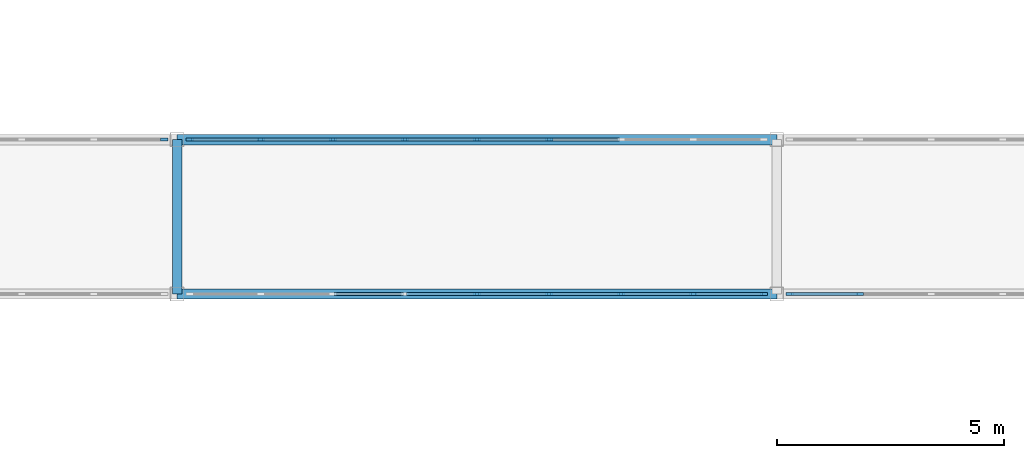
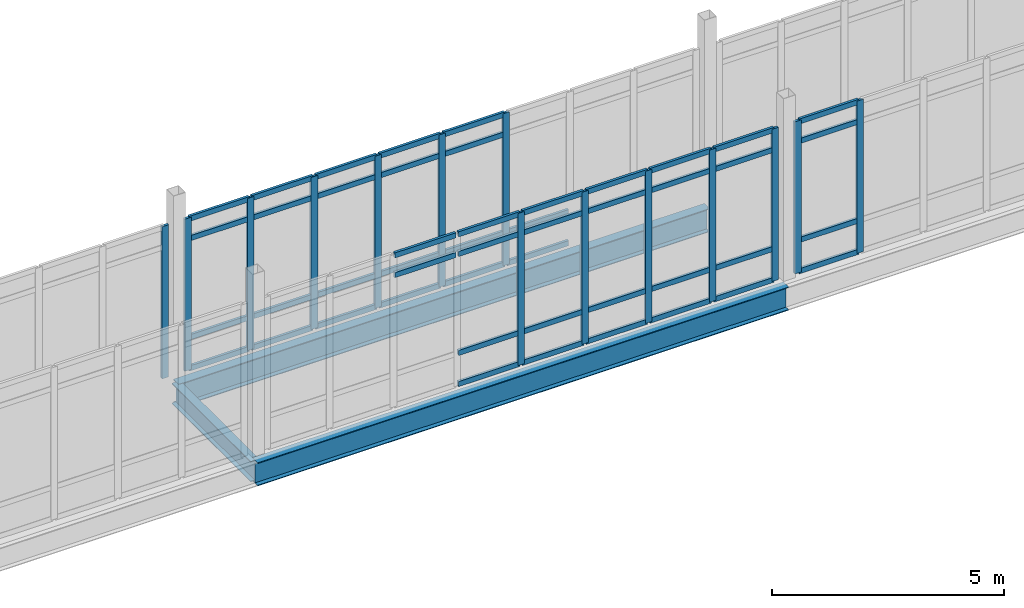
# One storey, part 16 of 101: 62 members, 3 beams, 4 elements without a shape of their own.
"""IFC4 building model written with IfcOpenShell, lengths in metres."""

import ifcopenshell
import ifcopenshell.guid

model = None  # the IFC model being written
_history = None  # IfcOwnerHistory: only IFC2X3 demands one
_inside = {}  # id of a spatial element -> (the spatial element, [elements in it])
_under = {}  # id of a project, library or spatial element -> (it, [spatial elements below it])
_declared = {}  # id of a project -> (the project, [libraries it declares])
_typed = {}  # id of a type object -> (the type object, [elements of that type])
_made_of = {}  # id of a material, layer set ... -> (it, [elements and type objects made of it])


def new_model(schema):
    """Start an empty IFC model of exactly this schema.

    Asked for "IFC4X3", IfcOpenShell would pick the latest addendum, in which some entities
    have other attributes; the version numbers below select the first issue.
    IFC2X3 requires an IfcOwnerHistory on every rooted entity: one is made here for all.
    """
    global model, _history
    if schema == "IFC4X3":
        model = ifcopenshell.file(schema_version=(4, 3, 0, 0))
    else:
        model = ifcopenshell.file(schema=schema)
    _inside.clear()
    _under.clear()
    _declared.clear()
    _typed.clear()
    _made_of.clear()
    _history = None
    if model.schema == "IFC2X3":
        org = make("IfcOrganization", Name="unknown")
        user = make(
            "IfcPersonAndOrganization",
            ThePerson=make("IfcPerson", FamilyName="unknown"),
            TheOrganization=org,
        )
        app = make(
            "IfcApplication",
            ApplicationDeveloper=org,
            Version="unknown",
            ApplicationFullName="unknown",
            ApplicationIdentifier="unknown",
        )
        _history = make(
            "IfcOwnerHistory",
            OwningUser=user,
            OwningApplication=app,
            ChangeAction="ADDED",
            CreationDate=0,
        )
    return model


def make(cls, **values):
    """One entity of the class cls with the attributes given. An attribute that is None is left unset."""
    return model.create_entity(
        cls, **{name: value for name, value in values.items() if value is not None}
    )


def rooted(cls, **values):
    """An entity with a GlobalId (a new one), such as an element, a storey or a relation."""
    return make(cls, GlobalId=ifcopenshell.guid.new(), OwnerHistory=_history, **values)


def si_unit(unit_type, name, prefix=None):
    """IfcSIUnit, for example si_unit("LENGTHUNIT", "METRE", prefix="MILLI")."""
    return make("IfcSIUnit", UnitType=unit_type, Prefix=prefix, Name=name)


def assignment(units):
    """IfcUnitAssignment: the units of a project."""
    return None if units is None else make("IfcUnitAssignment", Units=units)


def point(xyz):
    """IfcCartesianPoint."""
    return None if xyz is None else make("IfcCartesianPoint", Coordinates=xyz)


def direction(xyz):
    """IfcDirection."""
    return None if xyz is None else make("IfcDirection", DirectionRatios=xyz)


def frame(location, z_axis=None, x_axis=None):
    """IfcAxis2Placement3D, a coordinate frame: its origin and axes. An axis left out is left unset."""
    return make(
        "IfcAxis2Placement3D",
        Location=point(location),
        Axis=direction(z_axis),
        RefDirection=direction(x_axis),
    )


def frame_2d(location, x_axis=None):
    """IfcAxis2Placement2D, a coordinate frame in the plane: its origin and x axis."""
    return make(
        "IfcAxis2Placement2D", Location=point(location), RefDirection=direction(x_axis)
    )


def origin():
    """The frame at (0, 0, 0) with its axes left unset."""
    return frame((0.0, 0.0, 0.0))


def origin_2d():
    """The frame at (0, 0) in the plane with its x axis left unset."""
    return frame_2d((0.0, 0.0))


def place(relative_to, where):
    """IfcLocalPlacement: puts the frame where relative to a parent placement (None: the world)."""
    return make(
        "IfcLocalPlacement", PlacementRelTo=relative_to, RelativePlacement=where
    )


def context(
    kind, dimensions, precision=None, world=None, true_north=None, identifier=None
):
    """IfcGeometricRepresentationContext, for example the 3D "Model" context."""
    return make(
        "IfcGeometricRepresentationContext",
        ContextIdentifier=identifier,
        ContextType=kind,
        CoordinateSpaceDimension=dimensions,
        Precision=precision,
        WorldCoordinateSystem=world,
        TrueNorth=true_north,
    )


def subcontext(parent, identifier, kind, view, scale=None):
    """IfcGeometricRepresentationSubContext, for example "Body" below "Model"."""
    return make(
        "IfcGeometricRepresentationSubContext",
        ContextIdentifier=identifier,
        ContextType=kind,
        ParentContext=parent,
        TargetScale=scale,
        TargetView=view,
    )


def project(units=None, contexts=None):
    """IfcProject with its units and contexts."""
    return rooted(
        "IfcProject",
        Name="project",
        RepresentationContexts=contexts,
        UnitsInContext=assignment(units),
    )


def spatial(cls, under=None, at=None, **own):
    """A site, building, storey or space (cls), placed at a placement, below another one or the project."""
    s = rooted(cls, ObjectPlacement=at, **own)
    if under is not None:
        _under.setdefault(under.id(), (under, []))[1].append(s)
    return s


def profile(cls, at=None, kind="AREA", **sizes):
    """A parametric profile (cls). Its sizes go by their IFC names, for example OverallWidth=200.0."""
    return make(cls, ProfileType=kind, Position=at, **sizes)


def rectangle(**sizes):
    """IfcRectangleProfileDef."""
    return profile("IfcRectangleProfileDef", **sizes)


def i_section(**sizes):
    """IfcIShapeProfileDef."""
    return profile("IfcIShapeProfileDef", **sizes)


def extrude(swept, where, along, depth):
    """IfcExtrudedAreaSolid: the profile swept, set in the frame where, extruded along a direction by depth."""
    return make(
        "IfcExtrudedAreaSolid",
        SweptArea=swept,
        Position=where,
        ExtrudedDirection=direction(along),
        Depth=depth,
    )


def shape(context_of_items, identifier, shape_type, items):
    """IfcShapeRepresentation: the items that make up one representation, for example the "Body"."""
    return make(
        "IfcShapeRepresentation",
        ContextOfItems=context_of_items,
        RepresentationIdentifier=identifier,
        RepresentationType=shape_type,
        Items=items,
    )


def material(Name=None, Category=None):
    """IfcMaterial."""
    return make("IfcMaterial", Name=Name, Category=Category)


def material_profile(
    of_material, cross_section, Name=None, Category=None, Priority=None
):
    """IfcMaterialProfile: a cross section and its material."""
    return make(
        "IfcMaterialProfile",
        Name=Name,
        Material=of_material,
        Profile=cross_section,
        Priority=Priority,
        Category=Category,
    )


def profile_set(profiles, Name=None, composite=None):
    """IfcMaterialProfileSet."""
    return make(
        "IfcMaterialProfileSet",
        Name=Name,
        MaterialProfiles=profiles,
        CompositeProfile=composite,
    )


def made_of(thing, what):
    """Note that an element or type object is made of a material, layer set ...; save() writes the relation."""
    if what is not None:
        _made_of.setdefault(what.id(), (what, []))[1].append(thing)
    return thing


def type_object(cls, material=None, **own):
    """A type object (cls), such as IfcWallType, which elements share."""
    return made_of(rooted(cls, **own), material)


def element(
    cls,
    number,
    at=None,
    inside=None,
    cuts=None,
    type_object=None,
    material=None,
    context=None,
    identifier="Body",
    shape_type=None,
    held_by="IfcProductDefinitionShape",
    body=None,
    shapes=None,
    **own,
):
    """One element of the class cls, such as IfcWall. Its Tag is "e" and its number.

    at: its placement. inside: the storey or other place that contains it. cuts: it is an
    opening in that element (IfcRelVoidsElement). A single representation is given by context,
    identifier, shape_type and body (its items); several are given by shapes. held_by: the class
    of the entity that holds the representations. save() writes the other relations.
    """
    e = rooted(cls, Tag="e%d" % number, ObjectPlacement=at, **own)
    if body is not None:
        shapes = [shape(context, identifier, shape_type, body)]
    if shapes is not None:
        e.Representation = make(held_by, Representations=shapes)
    if inside is not None:
        _inside.setdefault(inside.id(), (inside, []))[1].append(e)
    if cuts is not None:
        rooted(
            "IfcRelVoidsElement", RelatingBuildingElement=cuts, RelatedOpeningElement=e
        )
    if type_object is not None:
        _typed.setdefault(type_object.id(), (type_object, []))[1].append(e)
    return made_of(e, material)


def aggregate(whole, parts):
    """IfcRelAggregates: a whole, such as a stair, and the parts it consists of."""
    return rooted("IfcRelAggregates", RelatingObject=whole, RelatedObjects=parts)


def save(model, path):
    """Write the relations noted so far, then the file.

    IfcRelAggregates (storeys below a building ...), IfcRelContainedInSpatialStructure (elements
    in a storey), IfcRelDefinesByType, IfcRelAssociatesMaterial and IfcRelDeclares: one each for
    every whole, place, type object, material and project.
    """
    for whole, parts in _under.values():
        aggregate(whole, parts)
    for where, things in _inside.values():
        rooted(
            "IfcRelContainedInSpatialStructure",
            RelatedElements=things,
            RelatingStructure=where,
        )
    for kind, things in _typed.values():
        rooted("IfcRelDefinesByType", RelatedObjects=things, RelatingType=kind)
    for what, things in _made_of.values():
        rooted("IfcRelAssociatesMaterial", RelatedObjects=things, RelatingMaterial=what)
    for by, libraries in _declared.values():
        rooted("IfcRelDeclares", RelatingContext=by, RelatedDefinitions=libraries)
    model.write(path)


model = new_model("IFC4")

# Units and contexts
model_context = context("Model", 3, precision=1e-05, world=origin(), true_north=direction((0.0, 1.0)))
body_context = subcontext(model_context, "Body", "Model", "MODEL_VIEW")
ifc_project = project(units=[si_unit("LENGTHUNIT", "METRE"), si_unit("AREAUNIT", "SQUARE_METRE"), si_unit("VOLUMEUNIT", "CUBIC_METRE"), si_unit("PLANEANGLEUNIT", "RADIAN"), si_unit("MASSUNIT", "GRAM", prefix="KILO")], contexts=[model_context])

# Site, building, storey
site_placement = place(None, origin())
site = spatial("IfcSite", under=ifc_project, at=site_placement, CompositionType="ELEMENT")
building_placement = place(site_placement, origin())
building = spatial("IfcBuilding", under=site, at=building_placement, Name="Dornvale Research Institute", CompositionType="ELEMENT")
storey_placement = place(building_placement, frame((0.0, 0.0, 10.199951171875)))
storey = spatial("IfcBuildingStorey", under=building, at=storey_placement, Name="L02", CompositionType="ELEMENT", Elevation=10.199951171875)

# Beams
ifc_material_1 = material(Name="Steel ASTM A992 Grade 50", Category="steel")
ifc_material_profile_1 = material_profile(ifc_material_1, i_section(OverallWidth=0.2099609375, OverallDepth=0.535888671875, WebThickness=0.010986328125, FlangeThickness=0.017333984375, at=origin_2d()), Name="W21X68")
ifc_profile_set_1 = profile_set([ifc_material_profile_1], Name="Steel ASTM A992 Grade 50")
beam_type_1 = type_object("IfcBeamType", Name="Beam_Steel_W21X68_Ext", PredefinedType="BEAM", material=ifc_profile_set_1)
beam_placement = place(storey_placement, frame((72.60009765625, 18.699951171875, -0.488037109375), z_axis=(0.0, 1.0, 0.0), x_axis=(-1.0, 0.0, 0.0)))
element("IfcBeam", 1, at=beam_placement, inside=storey, type_object=beam_type_1, Name="L02 BR-6 portal cap beam #2026", PredefinedType="BEAM", context=body_context, shape_type="SweptSolid", body=[
    extrude(i_section(OverallWidth=0.2099609375, OverallDepth=0.535888671875, WebThickness=0.010986328125, FlangeThickness=0.017333984375, at=origin_2d()), origin(), (0.0, 0.0, 1.0), 3.400146484375),
])
ifc_material_2 = material(Name="Steel ASTM A992 Grade 50", Category="steel")
ifc_material_profile_2 = material_profile(ifc_material_2, i_section(OverallWidth=0.22900390625, OverallDepth=0.612060546875, WebThickness=0.011962890625, FlangeThickness=0.01953125, at=origin_2d()), Name="W24X84")
ifc_profile_set_2 = profile_set([ifc_material_profile_2], Name="Steel ASTM A992 Grade 50")
beam_type_2 = type_object("IfcBeamType", Name="Beam_Steel_W24X84_Bridge", PredefinedType="BEAM", material=ifc_profile_set_2)
for number, where, z_axis, x_axis, name in (
    (2, (72.60009765625, 18.699951171875, -0.52587890625), (1.0, 0.0, 0.0), (0.0, 1.0, 0.0), "L02 BR-6 south girder #2026"),
    (3, (72.60009765625, 22.10009765625, -0.52587890625), (1.0, 0.0, 0.0), (0.0, 1.0, 0.0), "L02 BR-6 north girder #2026"),
):
    element("IfcBeam", number, at=place(storey_placement, frame(where, z_axis=z_axis, x_axis=x_axis)), inside=storey, type_object=beam_type_2, Name=name, PredefinedType="BEAM", context=body_context, shape_type="SweptSolid", body=[
        extrude(i_section(OverallWidth=0.22900390625, OverallDepth=0.612060546875, WebThickness=0.011962890625, FlangeThickness=0.01953125, at=origin_2d()), origin(), (0.0, 0.0, 1.0), 13.199951171875),
    ])

# Curtain wall, member
ifc_material_3 = material(Name="Low-E Argon Double Insulating Glazing Unit", Category="glass")
curtain_wall_type_1 = type_object("IfcCurtainWallType", Name="UnitisedCurtainWall_V2_12700x4000", PredefinedType="USERDEFINED", material=ifc_material_3)
curtain_wall_1_placement = place(storey_placement, origin())
curtain_wall_1 = element("IfcCurtainWall", 4, at=curtain_wall_1_placement, inside=storey, type_object=curtain_wall_type_1, Name="L02 V2 unitised curtain wall CW-42 #225", ObjectType="UNITISED CURTAIN WALL", PredefinedType="USERDEFINED")
ifc_material_4 = material(Name="Anodized Aluminum AA 6063-T6 Thermally Broken Frame", Category="aluminium")
ifc_material_profile_3 = material_profile(ifc_material_4, rectangle(XDim=0.06494140625, YDim=0.1650390625, at=origin_2d()), Name="ALU MULLION 65x165")
ifc_profile_set_3 = profile_set([ifc_material_profile_3], Name="Anodized Aluminum AA 6063-T6 Thermally Broken Frame")
member_type_1 = type_object("IfcMemberType", Name="Mullion_Atrium_65x165", PredefinedType="MULLION", material=ifc_profile_set_3)
member_1_placement = place(storey_placement, frame((72.3173828125, 22.10009765625, 0.0), z_axis=(0.0, 0.0, 1.0), x_axis=(0.0, 1.0, 0.0)))
member_1 = element("IfcMember", 5, at=member_1_placement, type_object=member_type_1, Name="CW-42 mullion 9", PredefinedType="MULLION", context=body_context, shape_type="SweptSolid", body=[
    extrude(rectangle(XDim=0.06494140625, YDim=0.1650390625, at=origin_2d()), origin(), (0.0, 0.0, 1.0), 4.0),
])
aggregate(curtain_wall_1, [member_1])

# Curtain wall, members
curtain_wall_2_placement = place(storey_placement, origin())
curtain_wall_2 = element("IfcCurtainWall", 6, at=curtain_wall_2_placement, inside=storey, type_object=curtain_wall_type_1, Name="L02 V2 unitised curtain wall CW-42 #227", ObjectType="UNITISED CURTAIN WALL", PredefinedType="USERDEFINED")
member_2_placement = place(storey_placement, frame((72.882568359375, 22.10009765625, 0.0), z_axis=(0.0, 0.0, 1.0), x_axis=(0.0, 1.0, 0.0)))
member_2 = element("IfcMember", 7, at=member_2_placement, type_object=member_type_1, Name="CW-42 mullion 1", PredefinedType="MULLION", context=body_context, shape_type="SweptSolid", body=[
    extrude(rectangle(XDim=0.06494140625, YDim=0.1650390625, at=origin_2d()), origin(), (0.0, 0.0, 1.0), 4.0),
])
member_3_placement = place(storey_placement, frame((74.4375, 22.10009765625, 0.0), z_axis=(0.0, 0.0, 1.0), x_axis=(0.0, 1.0, 0.0)))
member_3 = element("IfcMember", 8, at=member_3_placement, type_object=member_type_1, Name="CW-42 mullion 2", PredefinedType="MULLION", context=body_context, shape_type="SweptSolid", body=[
    extrude(rectangle(XDim=0.06494140625, YDim=0.1650390625, at=origin_2d()), origin(), (0.0, 0.0, 1.0), 4.0),
])
member_4_placement = place(storey_placement, frame((76.02490234375, 22.10009765625, 0.0), z_axis=(0.0, 0.0, 1.0), x_axis=(0.0, 1.0, 0.0)))
member_4 = element("IfcMember", 9, at=member_4_placement, type_object=member_type_1, Name="CW-42 mullion 3", PredefinedType="MULLION", context=body_context, shape_type="SweptSolid", body=[
    extrude(rectangle(XDim=0.06494140625, YDim=0.1650390625, at=origin_2d()), origin(), (0.0, 0.0, 1.0), 4.0),
])
member_5_placement = place(storey_placement, frame((77.612548828125, 22.10009765625, 0.0), z_axis=(0.0, 0.0, 1.0), x_axis=(0.0, 1.0, 0.0)))
member_5 = element("IfcMember", 10, at=member_5_placement, type_object=member_type_1, Name="CW-42 mullion 4", PredefinedType="MULLION", context=body_context, shape_type="SweptSolid", body=[
    extrude(rectangle(XDim=0.06494140625, YDim=0.1650390625, at=origin_2d()), origin(), (0.0, 0.0, 1.0), 4.0),
])
member_6_placement = place(storey_placement, frame((79.199951171875, 22.10009765625, 0.0), z_axis=(0.0, 0.0, 1.0), x_axis=(0.0, 1.0, 0.0)))
member_6 = element("IfcMember", 11, at=member_6_placement, type_object=member_type_1, Name="CW-42 mullion 5", PredefinedType="MULLION", context=body_context, shape_type="SweptSolid", body=[
    extrude(rectangle(XDim=0.06494140625, YDim=0.1650390625, at=origin_2d()), origin(), (0.0, 0.0, 1.0), 4.0),
])
member_7_placement = place(storey_placement, frame((80.78759765625, 22.10009765625, 0.0), z_axis=(0.0, 0.0, 1.0), x_axis=(0.0, 1.0, 0.0)))
member_7 = element("IfcMember", 12, at=member_7_placement, type_object=member_type_1, Name="CW-42 mullion 6", PredefinedType="MULLION", context=body_context, shape_type="SweptSolid", body=[
    extrude(rectangle(XDim=0.06494140625, YDim=0.1650390625, at=origin_2d()), origin(), (0.0, 0.0, 1.0), 4.0),
])

curtain_wall_3_placement = place(storey_placement, origin())
curtain_wall_3 = element("IfcCurtainWall", 13, at=curtain_wall_3_placement, inside=storey, type_object=curtain_wall_type_1, Name="L02 V2 unitised curtain wall CW-42 #228", ObjectType="UNITISED CURTAIN WALL", PredefinedType="USERDEFINED")
member_8_placement = place(storey_placement, frame((85.517578125, 18.699951171875, 0.0), z_axis=(0.0, 0.0, 1.0), x_axis=(0.0, -1.0, 0.0)))
member_8 = element("IfcMember", 14, at=member_8_placement, type_object=member_type_1, Name="CW-42 mullion 1", PredefinedType="MULLION", context=body_context, shape_type="SweptSolid", body=[
    extrude(rectangle(XDim=0.06494140625, YDim=0.1650390625, at=origin_2d()), origin(), (0.0, 0.0, 1.0), 4.0),
])
member_9_placement = place(storey_placement, frame((83.96240234375, 18.699951171875, 0.0), z_axis=(0.0, 0.0, 1.0), x_axis=(0.0, -1.0, 0.0)))
member_9 = element("IfcMember", 15, at=member_9_placement, type_object=member_type_1, Name="CW-42 mullion 2", PredefinedType="MULLION", context=body_context, shape_type="SweptSolid", body=[
    extrude(rectangle(XDim=0.06494140625, YDim=0.1650390625, at=origin_2d()), origin(), (0.0, 0.0, 1.0), 4.0),
])
member_10_placement = place(storey_placement, frame((82.375, 18.699951171875, 0.0), z_axis=(0.0, 0.0, 1.0), x_axis=(0.0, -1.0, 0.0)))
member_10 = element("IfcMember", 16, at=member_10_placement, type_object=member_type_1, Name="CW-42 mullion 3", PredefinedType="MULLION", context=body_context, shape_type="SweptSolid", body=[
    extrude(rectangle(XDim=0.06494140625, YDim=0.1650390625, at=origin_2d()), origin(), (0.0, 0.0, 1.0), 4.0),
])
member_11_placement = place(storey_placement, frame((80.78759765625, 18.699951171875, 0.0), z_axis=(0.0, 0.0, 1.0), x_axis=(0.0, -1.0, 0.0)))
member_11 = element("IfcMember", 17, at=member_11_placement, type_object=member_type_1, Name="CW-42 mullion 4", PredefinedType="MULLION", context=body_context, shape_type="SweptSolid", body=[
    extrude(rectangle(XDim=0.06494140625, YDim=0.1650390625, at=origin_2d()), origin(), (0.0, 0.0, 1.0), 4.0),
])
member_12_placement = place(storey_placement, frame((79.199951171875, 18.699951171875, 0.0), z_axis=(0.0, 0.0, 1.0), x_axis=(0.0, -1.0, 0.0)))
member_12 = element("IfcMember", 18, at=member_12_placement, type_object=member_type_1, Name="CW-42 mullion 5", PredefinedType="MULLION", context=body_context, shape_type="SweptSolid", body=[
    extrude(rectangle(XDim=0.06494140625, YDim=0.1650390625, at=origin_2d()), origin(), (0.0, 0.0, 1.0), 4.0),
])

ifc_material_5 = material(Name="Low-E Argon Double Insulating Glazing Unit", Category="glass")
curtain_wall_type_2 = type_object("IfcCurtainWallType", Name="UnitisedCurtainWall_V2_12600x4000", PredefinedType="USERDEFINED", material=ifc_material_5)
curtain_wall_4_placement = place(storey_placement, origin())
curtain_wall_4 = element("IfcCurtainWall", 19, at=curtain_wall_4_placement, inside=storey, type_object=curtain_wall_type_2, Name="L02 V2 unitised curtain wall CW-41 #230", ObjectType="UNITISED CURTAIN WALL", PredefinedType="USERDEFINED")
member_13_placement = place(storey_placement, frame((87.625, 18.699951171875, 0.0), z_axis=(0.0, 0.0, 1.0), x_axis=(0.0, -1.0, 0.0)))
member_13 = element("IfcMember", 20, at=member_13_placement, type_object=member_type_1, Name="CW-41 mullion 8", PredefinedType="MULLION", context=body_context, shape_type="SweptSolid", body=[
    extrude(rectangle(XDim=0.06494140625, YDim=0.1650390625, at=origin_2d()), origin(), (0.0, 0.0, 1.0), 4.0),
])
member_14_placement = place(storey_placement, frame((86.08251953125, 18.699951171875, 0.0), z_axis=(0.0, 0.0, 1.0), x_axis=(0.0, -1.0, 0.0)))
member_14 = element("IfcMember", 21, at=member_14_placement, type_object=member_type_1, Name="CW-41 mullion 9", PredefinedType="MULLION", context=body_context, shape_type="SweptSolid", body=[
    extrude(rectangle(XDim=0.06494140625, YDim=0.1650390625, at=origin_2d()), origin(), (0.0, 0.0, 1.0), 4.0),
])

# Member
ifc_material_6 = material(Name="Anodized Aluminum AA 6063-T6 Thermally Broken Frame", Category="aluminium")
ifc_material_profile_4 = material_profile(ifc_material_6, rectangle(XDim=0.06494140625, YDim=0.135009765625, at=origin_2d()), Name="ALU TRANSOM 65x135")
ifc_profile_set_4 = profile_set([ifc_material_profile_4], Name="Anodized Aluminum AA 6063-T6 Thermally Broken Frame")
member_type_2 = type_object("IfcMemberType", Name="Transom_CW_65x135", PredefinedType="USERDEFINED", material=ifc_profile_set_4)
member_15_placement = place(storey_placement, frame((72.9150390625, 22.10009765625, 0.032470703125), z_axis=(1.0, 0.0, 0.0), x_axis=(0.0, 1.0, 0.0)))
member_15 = element("IfcMember", 22, at=member_15_placement, type_object=member_type_2, Name="CW-42 transom 1.1", ObjectType="TRANSOM", PredefinedType="USERDEFINED", context=body_context, shape_type="SweptSolid", body=[
    extrude(rectangle(XDim=0.06494140625, YDim=0.135009765625, at=origin_2d()), origin(), (0.0, 0.0, 1.0), 1.489990234375),
])

member_16_placement = place(storey_placement, frame((72.9150390625, 22.10009765625, 0.85009765625), z_axis=(1.0, 0.0, 0.0), x_axis=(0.0, 1.0, 0.0)))
member_16 = element("IfcMember", 23, at=member_16_placement, type_object=member_type_2, Name="CW-42 transom 1.2", ObjectType="TRANSOM", PredefinedType="USERDEFINED", context=body_context, shape_type="SweptSolid", body=[
    extrude(rectangle(XDim=0.06494140625, YDim=0.135009765625, at=origin_2d()), origin(), (0.0, 0.0, 1.0), 1.489990234375),
])

member_17_placement = place(storey_placement, frame((72.9150390625, 22.10009765625, 3.449951171875), z_axis=(1.0, 0.0, 0.0), x_axis=(0.0, 1.0, 0.0)))
member_17 = element("IfcMember", 24, at=member_17_placement, type_object=member_type_2, Name="CW-42 transom 1.3", ObjectType="TRANSOM", PredefinedType="USERDEFINED", context=body_context, shape_type="SweptSolid", body=[
    extrude(rectangle(XDim=0.06494140625, YDim=0.135009765625, at=origin_2d()), origin(), (0.0, 0.0, 1.0), 1.489990234375),
])

member_18_placement = place(storey_placement, frame((72.9150390625, 22.10009765625, 3.967529296875), z_axis=(1.0, 0.0, 0.0), x_axis=(0.0, 1.0, 0.0)))
member_18 = element("IfcMember", 25, at=member_18_placement, type_object=member_type_2, Name="CW-42 transom 1.4", ObjectType="TRANSOM", PredefinedType="USERDEFINED", context=body_context, shape_type="SweptSolid", body=[
    extrude(rectangle(XDim=0.06494140625, YDim=0.135009765625, at=origin_2d()), origin(), (0.0, 0.0, 1.0), 1.489990234375),
])

member_19_placement = place(storey_placement, frame((74.469970703125, 22.10009765625, 0.032470703125), z_axis=(1.0, 0.0, 0.0), x_axis=(0.0, 1.0, 0.0)))
member_19 = element("IfcMember", 26, at=member_19_placement, type_object=member_type_2, Name="CW-42 transom 2.1", ObjectType="TRANSOM", PredefinedType="USERDEFINED", context=body_context, shape_type="SweptSolid", body=[
    extrude(rectangle(XDim=0.06494140625, YDim=0.135009765625, at=origin_2d()), origin(), (0.0, 0.0, 1.0), 1.5224609375),
])

member_20_placement = place(storey_placement, frame((74.469970703125, 22.10009765625, 0.85009765625), z_axis=(1.0, 0.0, 0.0), x_axis=(0.0, 1.0, 0.0)))
member_20 = element("IfcMember", 27, at=member_20_placement, type_object=member_type_2, Name="CW-42 transom 2.2", ObjectType="TRANSOM", PredefinedType="USERDEFINED", context=body_context, shape_type="SweptSolid", body=[
    extrude(rectangle(XDim=0.06494140625, YDim=0.135009765625, at=origin_2d()), origin(), (0.0, 0.0, 1.0), 1.5224609375),
])

member_21_placement = place(storey_placement, frame((74.469970703125, 22.10009765625, 3.449951171875), z_axis=(1.0, 0.0, 0.0), x_axis=(0.0, 1.0, 0.0)))
member_21 = element("IfcMember", 28, at=member_21_placement, type_object=member_type_2, Name="CW-42 transom 2.3", ObjectType="TRANSOM", PredefinedType="USERDEFINED", context=body_context, shape_type="SweptSolid", body=[
    extrude(rectangle(XDim=0.06494140625, YDim=0.135009765625, at=origin_2d()), origin(), (0.0, 0.0, 1.0), 1.5224609375),
])

member_22_placement = place(storey_placement, frame((74.469970703125, 22.10009765625, 3.967529296875), z_axis=(1.0, 0.0, 0.0), x_axis=(0.0, 1.0, 0.0)))
member_22 = element("IfcMember", 29, at=member_22_placement, type_object=member_type_2, Name="CW-42 transom 2.4", ObjectType="TRANSOM", PredefinedType="USERDEFINED", context=body_context, shape_type="SweptSolid", body=[
    extrude(rectangle(XDim=0.06494140625, YDim=0.135009765625, at=origin_2d()), origin(), (0.0, 0.0, 1.0), 1.5224609375),
])

member_23_placement = place(storey_placement, frame((76.0576171875, 22.10009765625, 0.032470703125), z_axis=(1.0, 0.0, 0.0), x_axis=(0.0, 1.0, 0.0)))
member_23 = element("IfcMember", 30, at=member_23_placement, type_object=member_type_2, Name="CW-42 transom 3.1", ObjectType="TRANSOM", PredefinedType="USERDEFINED", context=body_context, shape_type="SweptSolid", body=[
    extrude(rectangle(XDim=0.06494140625, YDim=0.135009765625, at=origin_2d()), origin(), (0.0, 0.0, 1.0), 1.5224609375),
])

member_24_placement = place(storey_placement, frame((76.0576171875, 22.10009765625, 0.85009765625), z_axis=(1.0, 0.0, 0.0), x_axis=(0.0, 1.0, 0.0)))
member_24 = element("IfcMember", 31, at=member_24_placement, type_object=member_type_2, Name="CW-42 transom 3.2", ObjectType="TRANSOM", PredefinedType="USERDEFINED", context=body_context, shape_type="SweptSolid", body=[
    extrude(rectangle(XDim=0.06494140625, YDim=0.135009765625, at=origin_2d()), origin(), (0.0, 0.0, 1.0), 1.5224609375),
])

member_25_placement = place(storey_placement, frame((76.0576171875, 22.10009765625, 3.449951171875), z_axis=(1.0, 0.0, 0.0), x_axis=(0.0, 1.0, 0.0)))
member_25 = element("IfcMember", 32, at=member_25_placement, type_object=member_type_2, Name="CW-42 transom 3.3", ObjectType="TRANSOM", PredefinedType="USERDEFINED", context=body_context, shape_type="SweptSolid", body=[
    extrude(rectangle(XDim=0.06494140625, YDim=0.135009765625, at=origin_2d()), origin(), (0.0, 0.0, 1.0), 1.5224609375),
])

member_26_placement = place(storey_placement, frame((76.0576171875, 22.10009765625, 3.967529296875), z_axis=(1.0, 0.0, 0.0), x_axis=(0.0, 1.0, 0.0)))
member_26 = element("IfcMember", 33, at=member_26_placement, type_object=member_type_2, Name="CW-42 transom 3.4", ObjectType="TRANSOM", PredefinedType="USERDEFINED", context=body_context, shape_type="SweptSolid", body=[
    extrude(rectangle(XDim=0.06494140625, YDim=0.135009765625, at=origin_2d()), origin(), (0.0, 0.0, 1.0), 1.5224609375),
])

member_27_placement = place(storey_placement, frame((77.64501953125, 22.10009765625, 0.032470703125), z_axis=(1.0, 0.0, 0.0), x_axis=(0.0, 1.0, 0.0)))
member_27 = element("IfcMember", 34, at=member_27_placement, type_object=member_type_2, Name="CW-42 transom 4.1", ObjectType="TRANSOM", PredefinedType="USERDEFINED", context=body_context, shape_type="SweptSolid", body=[
    extrude(rectangle(XDim=0.06494140625, YDim=0.135009765625, at=origin_2d()), origin(), (0.0, 0.0, 1.0), 1.5224609375),
])

member_28_placement = place(storey_placement, frame((77.64501953125, 22.10009765625, 0.85009765625), z_axis=(1.0, 0.0, 0.0), x_axis=(0.0, 1.0, 0.0)))
member_28 = element("IfcMember", 35, at=member_28_placement, type_object=member_type_2, Name="CW-42 transom 4.2", ObjectType="TRANSOM", PredefinedType="USERDEFINED", context=body_context, shape_type="SweptSolid", body=[
    extrude(rectangle(XDim=0.06494140625, YDim=0.135009765625, at=origin_2d()), origin(), (0.0, 0.0, 1.0), 1.5224609375),
])

member_29_placement = place(storey_placement, frame((77.64501953125, 22.10009765625, 3.449951171875), z_axis=(1.0, 0.0, 0.0), x_axis=(0.0, 1.0, 0.0)))
member_29 = element("IfcMember", 36, at=member_29_placement, type_object=member_type_2, Name="CW-42 transom 4.3", ObjectType="TRANSOM", PredefinedType="USERDEFINED", context=body_context, shape_type="SweptSolid", body=[
    extrude(rectangle(XDim=0.06494140625, YDim=0.135009765625, at=origin_2d()), origin(), (0.0, 0.0, 1.0), 1.5224609375),
])

member_30_placement = place(storey_placement, frame((77.64501953125, 22.10009765625, 3.967529296875), z_axis=(1.0, 0.0, 0.0), x_axis=(0.0, 1.0, 0.0)))
member_30 = element("IfcMember", 37, at=member_30_placement, type_object=member_type_2, Name="CW-42 transom 4.4", ObjectType="TRANSOM", PredefinedType="USERDEFINED", context=body_context, shape_type="SweptSolid", body=[
    extrude(rectangle(XDim=0.06494140625, YDim=0.135009765625, at=origin_2d()), origin(), (0.0, 0.0, 1.0), 1.5224609375),
])

member_31_placement = place(storey_placement, frame((79.232421875, 22.10009765625, 0.032470703125), z_axis=(1.0, 0.0, 0.0), x_axis=(0.0, 1.0, 0.0)))
member_31 = element("IfcMember", 38, at=member_31_placement, type_object=member_type_2, Name="CW-42 transom 5.1", ObjectType="TRANSOM", PredefinedType="USERDEFINED", context=body_context, shape_type="SweptSolid", body=[
    extrude(rectangle(XDim=0.06494140625, YDim=0.135009765625, at=origin_2d()), origin(), (0.0, 0.0, 1.0), 1.5224609375),
])

member_32_placement = place(storey_placement, frame((79.232421875, 22.10009765625, 0.85009765625), z_axis=(1.0, 0.0, 0.0), x_axis=(0.0, 1.0, 0.0)))
member_32 = element("IfcMember", 39, at=member_32_placement, type_object=member_type_2, Name="CW-42 transom 5.2", ObjectType="TRANSOM", PredefinedType="USERDEFINED", context=body_context, shape_type="SweptSolid", body=[
    extrude(rectangle(XDim=0.06494140625, YDim=0.135009765625, at=origin_2d()), origin(), (0.0, 0.0, 1.0), 1.5224609375),
])

member_33_placement = place(storey_placement, frame((79.232421875, 22.10009765625, 3.449951171875), z_axis=(1.0, 0.0, 0.0), x_axis=(0.0, 1.0, 0.0)))
member_33 = element("IfcMember", 40, at=member_33_placement, type_object=member_type_2, Name="CW-42 transom 5.3", ObjectType="TRANSOM", PredefinedType="USERDEFINED", context=body_context, shape_type="SweptSolid", body=[
    extrude(rectangle(XDim=0.06494140625, YDim=0.135009765625, at=origin_2d()), origin(), (0.0, 0.0, 1.0), 1.5224609375),
])

member_34_placement = place(storey_placement, frame((79.232421875, 22.10009765625, 3.967529296875), z_axis=(1.0, 0.0, 0.0), x_axis=(0.0, 1.0, 0.0)))
member_34 = element("IfcMember", 41, at=member_34_placement, type_object=member_type_2, Name="CW-42 transom 5.4", ObjectType="TRANSOM", PredefinedType="USERDEFINED", context=body_context, shape_type="SweptSolid", body=[
    extrude(rectangle(XDim=0.06494140625, YDim=0.135009765625, at=origin_2d()), origin(), (0.0, 0.0, 1.0), 1.5224609375),
])

member_35_placement = place(storey_placement, frame((80.820068359375, 22.10009765625, 0.032470703125), z_axis=(1.0, 0.0, 0.0), x_axis=(0.0, 1.0, 0.0)))
member_35 = element("IfcMember", 42, at=member_35_placement, type_object=member_type_2, Name="CW-42 transom 6.1", ObjectType="TRANSOM", PredefinedType="USERDEFINED", context=body_context, shape_type="SweptSolid", body=[
    extrude(rectangle(XDim=0.06494140625, YDim=0.135009765625, at=origin_2d()), origin(), (0.0, 0.0, 1.0), 1.5224609375),
])

member_36_placement = place(storey_placement, frame((80.820068359375, 22.10009765625, 0.85009765625), z_axis=(1.0, 0.0, 0.0), x_axis=(0.0, 1.0, 0.0)))
member_36 = element("IfcMember", 43, at=member_36_placement, type_object=member_type_2, Name="CW-42 transom 6.2", ObjectType="TRANSOM", PredefinedType="USERDEFINED", context=body_context, shape_type="SweptSolid", body=[
    extrude(rectangle(XDim=0.06494140625, YDim=0.135009765625, at=origin_2d()), origin(), (0.0, 0.0, 1.0), 1.5224609375),
])

aggregate(curtain_wall_2, [member_2, member_3, member_4, member_5, member_6, member_7, member_15, member_16, member_17, member_18, member_19, member_20, member_21, member_22, member_23, member_24, member_25, member_26, member_27, member_28, member_29, member_30, member_31, member_32, member_33, member_34, member_35, member_36])

member_37_placement = place(storey_placement, frame((85.485107421875, 18.699951171875, 0.032470703125), z_axis=(-1.0, 0.0, 0.0), x_axis=(0.0, -1.0, 0.0)))
member_37 = element("IfcMember", 44, at=member_37_placement, type_object=member_type_2, Name="CW-42 transom 1.1", ObjectType="TRANSOM", PredefinedType="USERDEFINED", context=body_context, shape_type="SweptSolid", body=[
    extrude(rectangle(XDim=0.06494140625, YDim=0.135009765625, at=origin_2d()), origin(), (0.0, 0.0, 1.0), 1.489990234375),
])

member_38_placement = place(storey_placement, frame((85.485107421875, 18.699951171875, 0.85009765625), z_axis=(-1.0, 0.0, 0.0), x_axis=(0.0, -1.0, 0.0)))
member_38 = element("IfcMember", 45, at=member_38_placement, type_object=member_type_2, Name="CW-42 transom 1.2", ObjectType="TRANSOM", PredefinedType="USERDEFINED", context=body_context, shape_type="SweptSolid", body=[
    extrude(rectangle(XDim=0.06494140625, YDim=0.135009765625, at=origin_2d()), origin(), (0.0, 0.0, 1.0), 1.489990234375),
])

member_39_placement = place(storey_placement, frame((85.485107421875, 18.699951171875, 3.449951171875), z_axis=(-1.0, 0.0, 0.0), x_axis=(0.0, -1.0, 0.0)))
member_39 = element("IfcMember", 46, at=member_39_placement, type_object=member_type_2, Name="CW-42 transom 1.3", ObjectType="TRANSOM", PredefinedType="USERDEFINED", context=body_context, shape_type="SweptSolid", body=[
    extrude(rectangle(XDim=0.06494140625, YDim=0.135009765625, at=origin_2d()), origin(), (0.0, 0.0, 1.0), 1.489990234375),
])

member_40_placement = place(storey_placement, frame((85.485107421875, 18.699951171875, 3.967529296875), z_axis=(-1.0, 0.0, 0.0), x_axis=(0.0, -1.0, 0.0)))
member_40 = element("IfcMember", 47, at=member_40_placement, type_object=member_type_2, Name="CW-42 transom 1.4", ObjectType="TRANSOM", PredefinedType="USERDEFINED", context=body_context, shape_type="SweptSolid", body=[
    extrude(rectangle(XDim=0.06494140625, YDim=0.135009765625, at=origin_2d()), origin(), (0.0, 0.0, 1.0), 1.489990234375),
])

member_41_placement = place(storey_placement, frame((83.929931640625, 18.699951171875, 0.032470703125), z_axis=(-1.0, 0.0, 0.0), x_axis=(0.0, -1.0, 0.0)))
member_41 = element("IfcMember", 48, at=member_41_placement, type_object=member_type_2, Name="CW-42 transom 2.1", ObjectType="TRANSOM", PredefinedType="USERDEFINED", context=body_context, shape_type="SweptSolid", body=[
    extrude(rectangle(XDim=0.06494140625, YDim=0.135009765625, at=origin_2d()), origin(), (0.0, 0.0, 1.0), 1.5224609375),
])

member_42_placement = place(storey_placement, frame((83.929931640625, 18.699951171875, 0.85009765625), z_axis=(-1.0, 0.0, 0.0), x_axis=(0.0, -1.0, 0.0)))
member_42 = element("IfcMember", 49, at=member_42_placement, type_object=member_type_2, Name="CW-42 transom 2.2", ObjectType="TRANSOM", PredefinedType="USERDEFINED", context=body_context, shape_type="SweptSolid", body=[
    extrude(rectangle(XDim=0.06494140625, YDim=0.135009765625, at=origin_2d()), origin(), (0.0, 0.0, 1.0), 1.5224609375),
])

member_43_placement = place(storey_placement, frame((83.929931640625, 18.699951171875, 3.449951171875), z_axis=(-1.0, 0.0, 0.0), x_axis=(0.0, -1.0, 0.0)))
member_43 = element("IfcMember", 50, at=member_43_placement, type_object=member_type_2, Name="CW-42 transom 2.3", ObjectType="TRANSOM", PredefinedType="USERDEFINED", context=body_context, shape_type="SweptSolid", body=[
    extrude(rectangle(XDim=0.06494140625, YDim=0.135009765625, at=origin_2d()), origin(), (0.0, 0.0, 1.0), 1.5224609375),
])

member_44_placement = place(storey_placement, frame((83.929931640625, 18.699951171875, 3.967529296875), z_axis=(-1.0, 0.0, 0.0), x_axis=(0.0, -1.0, 0.0)))
member_44 = element("IfcMember", 51, at=member_44_placement, type_object=member_type_2, Name="CW-42 transom 2.4", ObjectType="TRANSOM", PredefinedType="USERDEFINED", context=body_context, shape_type="SweptSolid", body=[
    extrude(rectangle(XDim=0.06494140625, YDim=0.135009765625, at=origin_2d()), origin(), (0.0, 0.0, 1.0), 1.5224609375),
])

member_45_placement = place(storey_placement, frame((82.342529296875, 18.699951171875, 0.032470703125), z_axis=(-1.0, 0.0, 0.0), x_axis=(0.0, -1.0, 0.0)))
member_45 = element("IfcMember", 52, at=member_45_placement, type_object=member_type_2, Name="CW-42 transom 3.1", ObjectType="TRANSOM", PredefinedType="USERDEFINED", context=body_context, shape_type="SweptSolid", body=[
    extrude(rectangle(XDim=0.06494140625, YDim=0.135009765625, at=origin_2d()), origin(), (0.0, 0.0, 1.0), 1.5224609375),
])

member_46_placement = place(storey_placement, frame((82.342529296875, 18.699951171875, 0.85009765625), z_axis=(-1.0, 0.0, 0.0), x_axis=(0.0, -1.0, 0.0)))
member_46 = element("IfcMember", 53, at=member_46_placement, type_object=member_type_2, Name="CW-42 transom 3.2", ObjectType="TRANSOM", PredefinedType="USERDEFINED", context=body_context, shape_type="SweptSolid", body=[
    extrude(rectangle(XDim=0.06494140625, YDim=0.135009765625, at=origin_2d()), origin(), (0.0, 0.0, 1.0), 1.5224609375),
])

member_47_placement = place(storey_placement, frame((82.342529296875, 18.699951171875, 3.449951171875), z_axis=(-1.0, 0.0, 0.0), x_axis=(0.0, -1.0, 0.0)))
member_47 = element("IfcMember", 54, at=member_47_placement, type_object=member_type_2, Name="CW-42 transom 3.3", ObjectType="TRANSOM", PredefinedType="USERDEFINED", context=body_context, shape_type="SweptSolid", body=[
    extrude(rectangle(XDim=0.06494140625, YDim=0.135009765625, at=origin_2d()), origin(), (0.0, 0.0, 1.0), 1.5224609375),
])

member_48_placement = place(storey_placement, frame((82.342529296875, 18.699951171875, 3.967529296875), z_axis=(-1.0, 0.0, 0.0), x_axis=(0.0, -1.0, 0.0)))
member_48 = element("IfcMember", 55, at=member_48_placement, type_object=member_type_2, Name="CW-42 transom 3.4", ObjectType="TRANSOM", PredefinedType="USERDEFINED", context=body_context, shape_type="SweptSolid", body=[
    extrude(rectangle(XDim=0.06494140625, YDim=0.135009765625, at=origin_2d()), origin(), (0.0, 0.0, 1.0), 1.5224609375),
])

member_49_placement = place(storey_placement, frame((80.7548828125, 18.699951171875, 0.032470703125), z_axis=(-1.0, 0.0, 0.0), x_axis=(0.0, -1.0, 0.0)))
member_49 = element("IfcMember", 56, at=member_49_placement, type_object=member_type_2, Name="CW-42 transom 4.1", ObjectType="TRANSOM", PredefinedType="USERDEFINED", context=body_context, shape_type="SweptSolid", body=[
    extrude(rectangle(XDim=0.06494140625, YDim=0.135009765625, at=origin_2d()), origin(), (0.0, 0.0, 1.0), 1.5224609375),
])

member_50_placement = place(storey_placement, frame((80.7548828125, 18.699951171875, 0.85009765625), z_axis=(-1.0, 0.0, 0.0), x_axis=(0.0, -1.0, 0.0)))
member_50 = element("IfcMember", 57, at=member_50_placement, type_object=member_type_2, Name="CW-42 transom 4.2", ObjectType="TRANSOM", PredefinedType="USERDEFINED", context=body_context, shape_type="SweptSolid", body=[
    extrude(rectangle(XDim=0.06494140625, YDim=0.135009765625, at=origin_2d()), origin(), (0.0, 0.0, 1.0), 1.5224609375),
])

member_51_placement = place(storey_placement, frame((80.7548828125, 18.699951171875, 3.449951171875), z_axis=(-1.0, 0.0, 0.0), x_axis=(0.0, -1.0, 0.0)))
member_51 = element("IfcMember", 58, at=member_51_placement, type_object=member_type_2, Name="CW-42 transom 4.3", ObjectType="TRANSOM", PredefinedType="USERDEFINED", context=body_context, shape_type="SweptSolid", body=[
    extrude(rectangle(XDim=0.06494140625, YDim=0.135009765625, at=origin_2d()), origin(), (0.0, 0.0, 1.0), 1.5224609375),
])

member_52_placement = place(storey_placement, frame((80.7548828125, 18.699951171875, 3.967529296875), z_axis=(-1.0, 0.0, 0.0), x_axis=(0.0, -1.0, 0.0)))
member_52 = element("IfcMember", 59, at=member_52_placement, type_object=member_type_2, Name="CW-42 transom 4.4", ObjectType="TRANSOM", PredefinedType="USERDEFINED", context=body_context, shape_type="SweptSolid", body=[
    extrude(rectangle(XDim=0.06494140625, YDim=0.135009765625, at=origin_2d()), origin(), (0.0, 0.0, 1.0), 1.5224609375),
])

member_53_placement = place(storey_placement, frame((79.16748046875, 18.699951171875, 0.032470703125), z_axis=(-1.0, 0.0, 0.0), x_axis=(0.0, -1.0, 0.0)))
member_53 = element("IfcMember", 60, at=member_53_placement, type_object=member_type_2, Name="CW-42 transom 5.1", ObjectType="TRANSOM", PredefinedType="USERDEFINED", context=body_context, shape_type="SweptSolid", body=[
    extrude(rectangle(XDim=0.06494140625, YDim=0.135009765625, at=origin_2d()), origin(), (0.0, 0.0, 1.0), 1.5224609375),
])

member_54_placement = place(storey_placement, frame((79.16748046875, 18.699951171875, 0.85009765625), z_axis=(-1.0, 0.0, 0.0), x_axis=(0.0, -1.0, 0.0)))
member_54 = element("IfcMember", 61, at=member_54_placement, type_object=member_type_2, Name="CW-42 transom 5.2", ObjectType="TRANSOM", PredefinedType="USERDEFINED", context=body_context, shape_type="SweptSolid", body=[
    extrude(rectangle(XDim=0.06494140625, YDim=0.135009765625, at=origin_2d()), origin(), (0.0, 0.0, 1.0), 1.5224609375),
])

member_55_placement = place(storey_placement, frame((79.16748046875, 18.699951171875, 3.449951171875), z_axis=(-1.0, 0.0, 0.0), x_axis=(0.0, -1.0, 0.0)))
member_55 = element("IfcMember", 62, at=member_55_placement, type_object=member_type_2, Name="CW-42 transom 5.3", ObjectType="TRANSOM", PredefinedType="USERDEFINED", context=body_context, shape_type="SweptSolid", body=[
    extrude(rectangle(XDim=0.06494140625, YDim=0.135009765625, at=origin_2d()), origin(), (0.0, 0.0, 1.0), 1.5224609375),
])

member_56_placement = place(storey_placement, frame((79.16748046875, 18.699951171875, 3.967529296875), z_axis=(-1.0, 0.0, 0.0), x_axis=(0.0, -1.0, 0.0)))
member_56 = element("IfcMember", 63, at=member_56_placement, type_object=member_type_2, Name="CW-42 transom 5.4", ObjectType="TRANSOM", PredefinedType="USERDEFINED", context=body_context, shape_type="SweptSolid", body=[
    extrude(rectangle(XDim=0.06494140625, YDim=0.135009765625, at=origin_2d()), origin(), (0.0, 0.0, 1.0), 1.5224609375),
])

member_57_placement = place(storey_placement, frame((77.580078125, 18.699951171875, 3.449951171875), z_axis=(-1.0, 0.0, 0.0), x_axis=(0.0, -1.0, 0.0)))
member_57 = element("IfcMember", 64, at=member_57_placement, type_object=member_type_2, Name="CW-42 transom 6.3", ObjectType="TRANSOM", PredefinedType="USERDEFINED", context=body_context, shape_type="SweptSolid", body=[
    extrude(rectangle(XDim=0.06494140625, YDim=0.135009765625, at=origin_2d()), origin(), (0.0, 0.0, 1.0), 1.5224609375),
])

member_58_placement = place(storey_placement, frame((77.580078125, 18.699951171875, 3.967529296875), z_axis=(-1.0, 0.0, 0.0), x_axis=(0.0, -1.0, 0.0)))
member_58 = element("IfcMember", 65, at=member_58_placement, type_object=member_type_2, Name="CW-42 transom 6.4", ObjectType="TRANSOM", PredefinedType="USERDEFINED", context=body_context, shape_type="SweptSolid", body=[
    extrude(rectangle(XDim=0.06494140625, YDim=0.135009765625, at=origin_2d()), origin(), (0.0, 0.0, 1.0), 1.5224609375),
])

aggregate(curtain_wall_3, [member_8, member_9, member_10, member_11, member_12, member_37, member_38, member_39, member_40, member_41, member_42, member_43, member_44, member_45, member_46, member_47, member_48, member_49, member_50, member_51, member_52, member_53, member_54, member_55, member_56, member_57, member_58])

member_59_placement = place(storey_placement, frame((87.592529296875, 18.699951171875, 0.032470703125), z_axis=(-1.0, 0.0, 0.0), x_axis=(0.0, -1.0, 0.0)))
member_59 = element("IfcMember", 66, at=member_59_placement, type_object=member_type_2, Name="CW-41 transom 8.1", ObjectType="TRANSOM", PredefinedType="USERDEFINED", context=body_context, shape_type="SweptSolid", body=[
    extrude(rectangle(XDim=0.06494140625, YDim=0.135009765625, at=origin_2d()), origin(), (0.0, 0.0, 1.0), 1.4775390625),
])

member_60_placement = place(storey_placement, frame((87.592529296875, 18.699951171875, 0.85009765625), z_axis=(-1.0, 0.0, 0.0), x_axis=(0.0, -1.0, 0.0)))
member_60 = element("IfcMember", 67, at=member_60_placement, type_object=member_type_2, Name="CW-41 transom 8.2", ObjectType="TRANSOM", PredefinedType="USERDEFINED", context=body_context, shape_type="SweptSolid", body=[
    extrude(rectangle(XDim=0.06494140625, YDim=0.135009765625, at=origin_2d()), origin(), (0.0, 0.0, 1.0), 1.4775390625),
])

member_61_placement = place(storey_placement, frame((87.592529296875, 18.699951171875, 3.449951171875), z_axis=(-1.0, 0.0, 0.0), x_axis=(0.0, -1.0, 0.0)))
member_61 = element("IfcMember", 68, at=member_61_placement, type_object=member_type_2, Name="CW-41 transom 8.3", ObjectType="TRANSOM", PredefinedType="USERDEFINED", context=body_context, shape_type="SweptSolid", body=[
    extrude(rectangle(XDim=0.06494140625, YDim=0.135009765625, at=origin_2d()), origin(), (0.0, 0.0, 1.0), 1.4775390625),
])

member_62_placement = place(storey_placement, frame((87.592529296875, 18.699951171875, 3.967529296875), z_axis=(-1.0, 0.0, 0.0), x_axis=(0.0, -1.0, 0.0)))
member_62 = element("IfcMember", 69, at=member_62_placement, type_object=member_type_2, Name="CW-41 transom 8.4", ObjectType="TRANSOM", PredefinedType="USERDEFINED", context=body_context, shape_type="SweptSolid", body=[
    extrude(rectangle(XDim=0.06494140625, YDim=0.135009765625, at=origin_2d()), origin(), (0.0, 0.0, 1.0), 1.4775390625),
])

aggregate(curtain_wall_4, [member_13, member_14, member_59, member_60, member_61, member_62])

save(model, "model.ifc")
